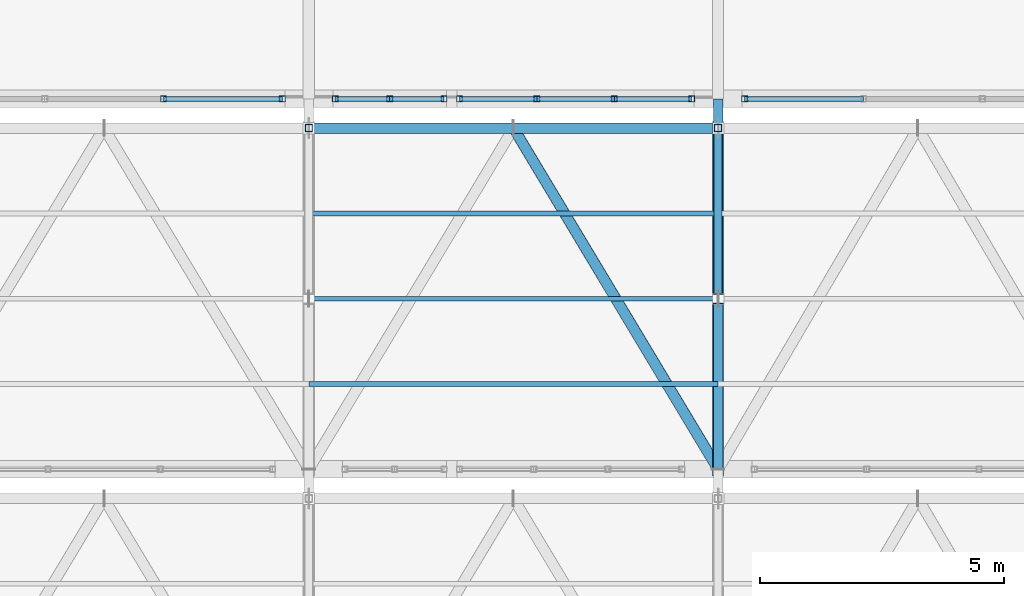
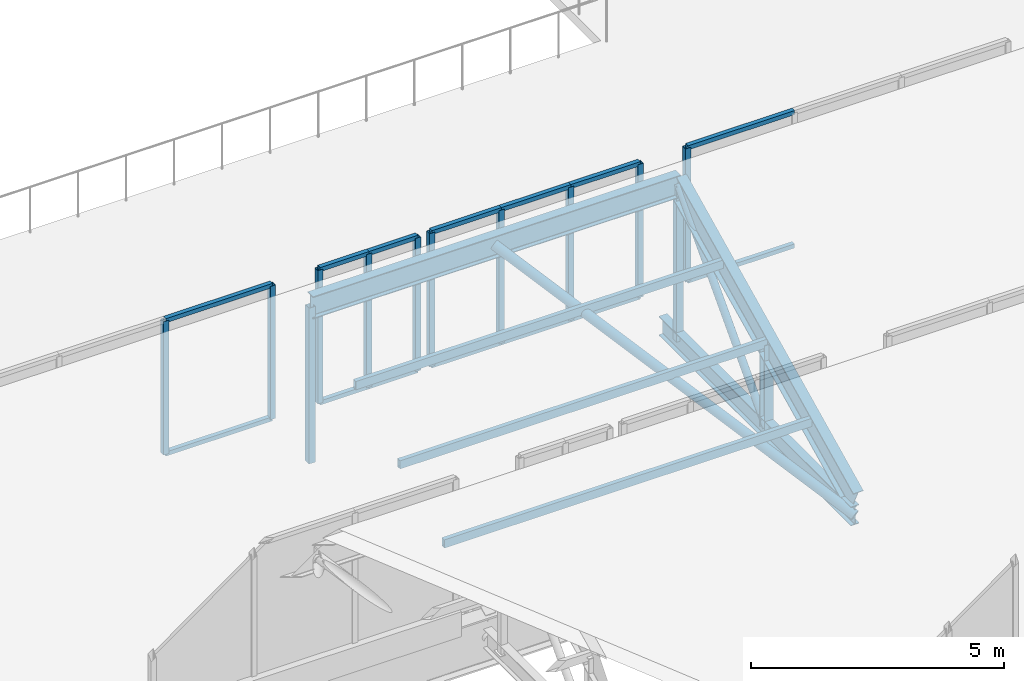
# One storey, part 36 of 57: 35 members, 4 elements without a shape of their own.
"""IFC4 building model written with IfcOpenShell, lengths in metres."""

import ifcopenshell
import ifcopenshell.guid

model = None  # the IFC model being written
_history = None  # IfcOwnerHistory: only IFC2X3 demands one
_inside = {}  # id of a spatial element -> (the spatial element, [elements in it])
_under = {}  # id of a project, library or spatial element -> (it, [spatial elements below it])
_declared = {}  # id of a project -> (the project, [libraries it declares])
_typed = {}  # id of a type object -> (the type object, [elements of that type])
_made_of = {}  # id of a material, layer set ... -> (it, [elements and type objects made of it])


def new_model(schema):
    """Start an empty IFC model of exactly this schema.

    Asked for "IFC4X3", IfcOpenShell would pick the latest addendum, in which some entities
    have other attributes; the version numbers below select the first issue.
    IFC2X3 requires an IfcOwnerHistory on every rooted entity: one is made here for all.
    """
    global model, _history
    if schema == "IFC4X3":
        model = ifcopenshell.file(schema_version=(4, 3, 0, 0))
    else:
        model = ifcopenshell.file(schema=schema)
    _inside.clear()
    _under.clear()
    _declared.clear()
    _typed.clear()
    _made_of.clear()
    _history = None
    if model.schema == "IFC2X3":
        org = make("IfcOrganization", Name="unknown")
        user = make(
            "IfcPersonAndOrganization",
            ThePerson=make("IfcPerson", FamilyName="unknown"),
            TheOrganization=org,
        )
        app = make(
            "IfcApplication",
            ApplicationDeveloper=org,
            Version="unknown",
            ApplicationFullName="unknown",
            ApplicationIdentifier="unknown",
        )
        _history = make(
            "IfcOwnerHistory",
            OwningUser=user,
            OwningApplication=app,
            ChangeAction="ADDED",
            CreationDate=0,
        )
    return model


def make(cls, **values):
    """One entity of the class cls with the attributes given. An attribute that is None is left unset."""
    return model.create_entity(
        cls, **{name: value for name, value in values.items() if value is not None}
    )


def rooted(cls, **values):
    """An entity with a GlobalId (a new one), such as an element, a storey or a relation."""
    return make(cls, GlobalId=ifcopenshell.guid.new(), OwnerHistory=_history, **values)


def si_unit(unit_type, name, prefix=None):
    """IfcSIUnit, for example si_unit("LENGTHUNIT", "METRE", prefix="MILLI")."""
    return make("IfcSIUnit", UnitType=unit_type, Prefix=prefix, Name=name)


def assignment(units):
    """IfcUnitAssignment: the units of a project."""
    return None if units is None else make("IfcUnitAssignment", Units=units)


def point(xyz):
    """IfcCartesianPoint."""
    return None if xyz is None else make("IfcCartesianPoint", Coordinates=xyz)


def direction(xyz):
    """IfcDirection."""
    return None if xyz is None else make("IfcDirection", DirectionRatios=xyz)


def frame(location, z_axis=None, x_axis=None):
    """IfcAxis2Placement3D, a coordinate frame: its origin and axes. An axis left out is left unset."""
    return make(
        "IfcAxis2Placement3D",
        Location=point(location),
        Axis=direction(z_axis),
        RefDirection=direction(x_axis),
    )


def frame_2d(location, x_axis=None):
    """IfcAxis2Placement2D, a coordinate frame in the plane: its origin and x axis."""
    return make(
        "IfcAxis2Placement2D", Location=point(location), RefDirection=direction(x_axis)
    )


def origin():
    """The frame at (0, 0, 0) with its axes left unset."""
    return frame((0.0, 0.0, 0.0))


def origin_2d():
    """The frame at (0, 0) in the plane with its x axis left unset."""
    return frame_2d((0.0, 0.0))


def place(relative_to, where):
    """IfcLocalPlacement: puts the frame where relative to a parent placement (None: the world)."""
    return make(
        "IfcLocalPlacement", PlacementRelTo=relative_to, RelativePlacement=where
    )


def context(
    kind, dimensions, precision=None, world=None, true_north=None, identifier=None
):
    """IfcGeometricRepresentationContext, for example the 3D "Model" context."""
    return make(
        "IfcGeometricRepresentationContext",
        ContextIdentifier=identifier,
        ContextType=kind,
        CoordinateSpaceDimension=dimensions,
        Precision=precision,
        WorldCoordinateSystem=world,
        TrueNorth=true_north,
    )


def subcontext(parent, identifier, kind, view, scale=None):
    """IfcGeometricRepresentationSubContext, for example "Body" below "Model"."""
    return make(
        "IfcGeometricRepresentationSubContext",
        ContextIdentifier=identifier,
        ContextType=kind,
        ParentContext=parent,
        TargetScale=scale,
        TargetView=view,
    )


def project(units=None, contexts=None):
    """IfcProject with its units and contexts."""
    return rooted(
        "IfcProject",
        Name="project",
        RepresentationContexts=contexts,
        UnitsInContext=assignment(units),
    )


def spatial(cls, under=None, at=None, **own):
    """A site, building, storey or space (cls), placed at a placement, below another one or the project."""
    s = rooted(cls, ObjectPlacement=at, **own)
    if under is not None:
        _under.setdefault(under.id(), (under, []))[1].append(s)
    return s


def profile(cls, at=None, kind="AREA", **sizes):
    """A parametric profile (cls). Its sizes go by their IFC names, for example OverallWidth=200.0."""
    return make(cls, ProfileType=kind, Position=at, **sizes)


def hollow_rectangle(**sizes):
    """IfcRectangleHollowProfileDef."""
    return profile("IfcRectangleHollowProfileDef", **sizes)


def hollow_circle(**sizes):
    """IfcCircleHollowProfileDef."""
    return profile("IfcCircleHollowProfileDef", **sizes)


def i_section(**sizes):
    """IfcIShapeProfileDef."""
    return profile("IfcIShapeProfileDef", **sizes)


def extrude(swept, where, along, depth):
    """IfcExtrudedAreaSolid: the profile swept, set in the frame where, extruded along a direction by depth."""
    return make(
        "IfcExtrudedAreaSolid",
        SweptArea=swept,
        Position=where,
        ExtrudedDirection=direction(along),
        Depth=depth,
    )


def shape(context_of_items, identifier, shape_type, items):
    """IfcShapeRepresentation: the items that make up one representation, for example the "Body"."""
    return make(
        "IfcShapeRepresentation",
        ContextOfItems=context_of_items,
        RepresentationIdentifier=identifier,
        RepresentationType=shape_type,
        Items=items,
    )


def material(Name=None, Category=None):
    """IfcMaterial."""
    return make("IfcMaterial", Name=Name, Category=Category)


def material_profile(
    of_material, cross_section, Name=None, Category=None, Priority=None
):
    """IfcMaterialProfile: a cross section and its material."""
    return make(
        "IfcMaterialProfile",
        Name=Name,
        Material=of_material,
        Profile=cross_section,
        Priority=Priority,
        Category=Category,
    )


def profile_set(profiles, Name=None, composite=None):
    """IfcMaterialProfileSet."""
    return make(
        "IfcMaterialProfileSet",
        Name=Name,
        MaterialProfiles=profiles,
        CompositeProfile=composite,
    )


def made_of(thing, what):
    """Note that an element or type object is made of a material, layer set ...; save() writes the relation."""
    if what is not None:
        _made_of.setdefault(what.id(), (what, []))[1].append(thing)
    return thing


def type_object(cls, material=None, **own):
    """A type object (cls), such as IfcWallType, which elements share."""
    return made_of(rooted(cls, **own), material)


def element(
    cls,
    number,
    at=None,
    inside=None,
    cuts=None,
    type_object=None,
    material=None,
    context=None,
    identifier="Body",
    shape_type=None,
    held_by="IfcProductDefinitionShape",
    body=None,
    shapes=None,
    **own,
):
    """One element of the class cls, such as IfcWall. Its Tag is "e" and its number.

    at: its placement. inside: the storey or other place that contains it. cuts: it is an
    opening in that element (IfcRelVoidsElement). A single representation is given by context,
    identifier, shape_type and body (its items); several are given by shapes. held_by: the class
    of the entity that holds the representations. save() writes the other relations.
    """
    e = rooted(cls, Tag="e%d" % number, ObjectPlacement=at, **own)
    if body is not None:
        shapes = [shape(context, identifier, shape_type, body)]
    if shapes is not None:
        e.Representation = make(held_by, Representations=shapes)
    if inside is not None:
        _inside.setdefault(inside.id(), (inside, []))[1].append(e)
    if cuts is not None:
        rooted(
            "IfcRelVoidsElement", RelatingBuildingElement=cuts, RelatedOpeningElement=e
        )
    if type_object is not None:
        _typed.setdefault(type_object.id(), (type_object, []))[1].append(e)
    return made_of(e, material)


def aggregate(whole, parts):
    """IfcRelAggregates: a whole, such as a stair, and the parts it consists of."""
    return rooted("IfcRelAggregates", RelatingObject=whole, RelatedObjects=parts)


def save(model, path):
    """Write the relations noted so far, then the file.

    IfcRelAggregates (storeys below a building ...), IfcRelContainedInSpatialStructure (elements
    in a storey), IfcRelDefinesByType, IfcRelAssociatesMaterial and IfcRelDeclares: one each for
    every whole, place, type object, material and project.
    """
    for whole, parts in _under.values():
        aggregate(whole, parts)
    for where, things in _inside.values():
        rooted(
            "IfcRelContainedInSpatialStructure",
            RelatedElements=things,
            RelatingStructure=where,
        )
    for kind, things in _typed.values():
        rooted("IfcRelDefinesByType", RelatedObjects=things, RelatingType=kind)
    for what, things in _made_of.values():
        rooted("IfcRelAssociatesMaterial", RelatedObjects=things, RelatingMaterial=what)
    for by, libraries in _declared.values():
        rooted("IfcRelDeclares", RelatingContext=by, RelatedDefinitions=libraries)
    model.write(path)


model = new_model("IFC4")

# Units and contexts
model_context = context("Model", 3, precision=1e-05, world=origin(), true_north=direction((0.0, 1.0)))
body_context = subcontext(model_context, "Body", "Model", "MODEL_VIEW")
ifc_project = project(units=[si_unit("LENGTHUNIT", "METRE"), si_unit("AREAUNIT", "SQUARE_METRE"), si_unit("VOLUMEUNIT", "CUBIC_METRE"), si_unit("PLANEANGLEUNIT", "RADIAN"), si_unit("MASSUNIT", "GRAM", prefix="KILO")], contexts=[model_context])

# Site, building, storey
site_placement = place(None, origin())
site = spatial("IfcSite", under=ifc_project, at=site_placement, CompositionType="ELEMENT")
building_placement = place(site_placement, origin())
building = spatial("IfcBuilding", under=site, at=building_placement, Name="Zuvorla Pavilion Media Centre", CompositionType="ELEMENT")
storey_placement = place(building_placement, frame((0.0, 0.0, 18.0)))
storey = spatial("IfcBuildingStorey", under=building, at=storey_placement, Name="L04", CompositionType="ELEMENT", Elevation=18.0)

# Curtain wall, members
ifc_material_1 = material(Name="Unitised anodised aluminium and solar glass curtain wall", Category="aluminium")
curtain_wall_type_1 = type_object("IfcCurtainWallType", Name="CW-SYS-97", PredefinedType="USERDEFINED", material=ifc_material_1)
curtain_wall_1_placement = place(storey_placement, origin())
curtain_wall_1 = element("IfcCurtainWall", 1, at=curtain_wall_1_placement, inside=storey, type_object=curtain_wall_type_1, Name="L04 curtain wall CW97 248", ObjectType="CURTAIN WALL", PredefinedType="USERDEFINED")
ifc_material_2 = material(Name="Anodised aluminium 6063-T6", Category="aluminium")
ifc_material_profile_1 = material_profile(ifc_material_2, hollow_rectangle(XDim=0.1201171875, YDim=0.1201171875, WallThickness=0.0048828125, at=origin_2d()), Name="ALU MULL 120x120")
ifc_profile_set_1 = profile_set([ifc_material_profile_1], Name="Anodised aluminium 6063-T6")
member_type_1 = type_object("IfcMemberType", Name="CW-MULL-120", PredefinedType="MULLION", material=ifc_profile_set_1)
member_1_placement = place(storey_placement, frame((139.419189453125, 44.0, 0.0), z_axis=(0.0, 0.0, 1.0), x_axis=(1.0, 0.0, 0.0)))
member_1 = element("IfcMember", 2, at=member_1_placement, type_object=member_type_1, Name="CW97 mullion 3", PredefinedType="MULLION", context=body_context, shape_type="SweptSolid", body=[
    extrude(hollow_rectangle(XDim=0.1201171875, YDim=0.1201171875, WallThickness=0.0048828125, at=origin_2d()), origin(), (0.0, 0.0, 1.0), 3.219970703125),
])
member_2_placement = place(storey_placement, frame((141.857421875, 44.0, 0.0), z_axis=(0.0, 0.0, 1.0), x_axis=(1.0, 0.0, 0.0)))
member_2 = element("IfcMember", 3, at=member_2_placement, type_object=member_type_1, Name="CW97 mullion 4", PredefinedType="MULLION", context=body_context, shape_type="SweptSolid", body=[
    extrude(hollow_rectangle(XDim=0.1201171875, YDim=0.1201171875, WallThickness=0.0048828125, at=origin_2d()), origin(), (0.0, 0.0, 1.0), 3.219970703125),
])

curtain_wall_type_2 = type_object("IfcCurtainWallType", Name="CW-SYS-98", PredefinedType="USERDEFINED", material=ifc_material_1)
curtain_wall_2_placement = place(storey_placement, origin())
curtain_wall_2 = element("IfcCurtainWall", 4, at=curtain_wall_2_placement, inside=storey, type_object=curtain_wall_type_2, Name="L04 curtain wall CW98 249", ObjectType="CURTAIN WALL", PredefinedType="USERDEFINED")
member_3_placement = place(storey_placement, frame((142.942626953125, 44.0, 0.0), z_axis=(0.0, 0.0, 1.0), x_axis=(1.0, 0.0, 0.0)))
member_3 = element("IfcMember", 5, at=member_3_placement, type_object=member_type_1, Name="CW98 mullion 1", PredefinedType="MULLION", context=body_context, shape_type="SweptSolid", body=[
    extrude(hollow_rectangle(XDim=0.1201171875, YDim=0.1201171875, WallThickness=0.0048828125, at=origin_2d()), origin(), (0.0, 0.0, 1.0), 3.219970703125),
])
member_4_placement = place(storey_placement, frame((144.05810546875, 44.0, 0.0), z_axis=(0.0, 0.0, 1.0), x_axis=(1.0, 0.0, 0.0)))
member_4 = element("IfcMember", 6, at=member_4_placement, type_object=member_type_1, Name="CW98 mullion 2", PredefinedType="MULLION", context=body_context, shape_type="SweptSolid", body=[
    extrude(hollow_rectangle(XDim=0.1201171875, YDim=0.1201171875, WallThickness=0.0048828125, at=origin_2d()), origin(), (0.0, 0.0, 1.0), 3.219970703125),
])
member_5_placement = place(storey_placement, frame((145.17333984375, 44.0, 0.0), z_axis=(0.0, 0.0, 1.0), x_axis=(1.0, 0.0, 0.0)))
member_5 = element("IfcMember", 7, at=member_5_placement, type_object=member_type_1, Name="CW98 mullion 3", PredefinedType="MULLION", context=body_context, shape_type="SweptSolid", body=[
    extrude(hollow_rectangle(XDim=0.1201171875, YDim=0.1201171875, WallThickness=0.0048828125, at=origin_2d()), origin(), (0.0, 0.0, 1.0), 3.219970703125),
])

curtain_wall_type_3 = type_object("IfcCurtainWallType", Name="CW-SYS-99", PredefinedType="USERDEFINED", material=ifc_material_1)
curtain_wall_3_placement = place(storey_placement, origin())
curtain_wall_3 = element("IfcCurtainWall", 8, at=curtain_wall_3_placement, inside=storey, type_object=curtain_wall_type_3, Name="L04 curtain wall CW99 250", ObjectType="CURTAIN WALL", PredefinedType="USERDEFINED")
member_6_placement = place(storey_placement, frame((145.493408203125, 44.0, 0.0), z_axis=(0.0, 0.0, 1.0), x_axis=(1.0, 0.0, 0.0)))
member_6 = element("IfcMember", 9, at=member_6_placement, type_object=member_type_1, Name="CW99 mullion 1", PredefinedType="MULLION", context=body_context, shape_type="SweptSolid", body=[
    extrude(hollow_rectangle(XDim=0.1201171875, YDim=0.1201171875, WallThickness=0.0048828125, at=origin_2d()), origin(), (0.0, 0.0, 1.0), 3.219970703125),
])
member_7_placement = place(storey_placement, frame((147.081298828125, 44.0, 0.0), z_axis=(0.0, 0.0, 1.0), x_axis=(1.0, 0.0, 0.0)))
member_7 = element("IfcMember", 10, at=member_7_placement, type_object=member_type_1, Name="CW99 mullion 2", PredefinedType="MULLION", context=body_context, shape_type="SweptSolid", body=[
    extrude(hollow_rectangle(XDim=0.1201171875, YDim=0.1201171875, WallThickness=0.0048828125, at=origin_2d()), origin(), (0.0, 0.0, 1.0), 3.219970703125),
])
member_8_placement = place(storey_placement, frame((148.669189453125, 44.0, 0.0), z_axis=(0.0, 0.0, 1.0), x_axis=(1.0, 0.0, 0.0)))
member_8 = element("IfcMember", 11, at=member_8_placement, type_object=member_type_1, Name="CW99 mullion 3", PredefinedType="MULLION", context=body_context, shape_type="SweptSolid", body=[
    extrude(hollow_rectangle(XDim=0.1201171875, YDim=0.1201171875, WallThickness=0.0048828125, at=origin_2d()), origin(), (0.0, 0.0, 1.0), 3.219970703125),
])
member_9_placement = place(storey_placement, frame((150.25732421875, 44.0, 0.0), z_axis=(0.0, 0.0, 1.0), x_axis=(1.0, 0.0, 0.0)))
member_9 = element("IfcMember", 12, at=member_9_placement, type_object=member_type_1, Name="CW99 mullion 4", PredefinedType="MULLION", context=body_context, shape_type="SweptSolid", body=[
    extrude(hollow_rectangle(XDim=0.1201171875, YDim=0.1201171875, WallThickness=0.0048828125, at=origin_2d()), origin(), (0.0, 0.0, 1.0), 3.219970703125),
])

# Curtain wall, member
curtain_wall_4_placement = place(storey_placement, origin())
curtain_wall_4 = element("IfcCurtainWall", 13, at=curtain_wall_4_placement, inside=storey, type_object=curtain_wall_type_1, Name="L04 curtain wall CW97 251", ObjectType="CURTAIN WALL", PredefinedType="USERDEFINED")
member_10_placement = place(storey_placement, frame((151.3427734375, 44.0, 0.0), z_axis=(0.0, 0.0, 1.0), x_axis=(1.0, 0.0, 0.0)))
member_10 = element("IfcMember", 14, at=member_10_placement, type_object=member_type_1, Name="CW97 mullion 1", PredefinedType="MULLION", context=body_context, shape_type="SweptSolid", body=[
    extrude(hollow_rectangle(XDim=0.1201171875, YDim=0.1201171875, WallThickness=0.0048828125, at=origin_2d()), origin(), (0.0, 0.0, 1.0), 3.219970703125),
])

# Member
ifc_material_profile_2 = material_profile(ifc_material_2, hollow_rectangle(XDim=0.10009765625, YDim=0.10009765625, WallThickness=0.00439453125, at=origin_2d()), Name="ALU TRAN 100x100")
ifc_profile_set_2 = profile_set([ifc_material_profile_2], Name="Anodised aluminium 6063-T6")
member_type_2 = type_object("IfcMemberType", Name="CW-TRAN-100", PredefinedType="USERDEFINED", material=ifc_profile_set_2)
member_11_placement = place(storey_placement, frame((139.419189453125, 44.0, 0.0), z_axis=(1.0, 0.0, 0.0), x_axis=(0.0, 1.0, 0.0)))
member_11 = element("IfcMember", 15, at=member_11_placement, type_object=member_type_2, Name="CW97 transom 3.1", ObjectType="TRANSOM", PredefinedType="USERDEFINED", context=body_context, shape_type="SweptSolid", body=[
    extrude(hollow_rectangle(XDim=0.10009765625, YDim=0.10009765625, WallThickness=0.00439453125, at=origin_2d()), origin(), (0.0, 0.0, 1.0), 2.438232421875),
])

member_12_placement = place(storey_placement, frame((139.419189453125, 44.0, 3.219970703125), z_axis=(1.0, 0.0, 0.0), x_axis=(0.0, 1.0, 0.0)))
member_12 = element("IfcMember", 16, at=member_12_placement, type_object=member_type_2, Name="CW97 transom 3.2", ObjectType="TRANSOM", PredefinedType="USERDEFINED", context=body_context, shape_type="SweptSolid", body=[
    extrude(hollow_rectangle(XDim=0.10009765625, YDim=0.10009765625, WallThickness=0.00439453125, at=origin_2d()), origin(), (0.0, 0.0, 1.0), 2.438232421875),
])

aggregate(curtain_wall_1, [member_1, member_2, member_11, member_12])

member_13_placement = place(storey_placement, frame((142.942626953125, 44.0, 0.0), z_axis=(1.0, 0.0, 0.0), x_axis=(0.0, 1.0, 0.0)))
member_13 = element("IfcMember", 17, at=member_13_placement, type_object=member_type_2, Name="CW98 transom 1.1", ObjectType="TRANSOM", PredefinedType="USERDEFINED", context=body_context, shape_type="SweptSolid", body=[
    extrude(hollow_rectangle(XDim=0.10009765625, YDim=0.10009765625, WallThickness=0.00439453125, at=origin_2d()), origin(), (0.0, 0.0, 1.0), 1.115478515625),
])

member_14_placement = place(storey_placement, frame((142.942626953125, 44.0, 3.219970703125), z_axis=(1.0, 0.0, 0.0), x_axis=(0.0, 1.0, 0.0)))
member_14 = element("IfcMember", 18, at=member_14_placement, type_object=member_type_2, Name="CW98 transom 1.2", ObjectType="TRANSOM", PredefinedType="USERDEFINED", context=body_context, shape_type="SweptSolid", body=[
    extrude(hollow_rectangle(XDim=0.10009765625, YDim=0.10009765625, WallThickness=0.00439453125, at=origin_2d()), origin(), (0.0, 0.0, 1.0), 1.115478515625),
])

member_15_placement = place(storey_placement, frame((144.05810546875, 44.0, 0.0), z_axis=(1.0, 0.0, 0.0), x_axis=(0.0, 1.0, 0.0)))
member_15 = element("IfcMember", 19, at=member_15_placement, type_object=member_type_2, Name="CW98 transom 2.1", ObjectType="TRANSOM", PredefinedType="USERDEFINED", context=body_context, shape_type="SweptSolid", body=[
    extrude(hollow_rectangle(XDim=0.10009765625, YDim=0.10009765625, WallThickness=0.00439453125, at=origin_2d()), origin(), (0.0, 0.0, 1.0), 1.115234375),
])

member_16_placement = place(storey_placement, frame((144.05810546875, 44.0, 3.219970703125), z_axis=(1.0, 0.0, 0.0), x_axis=(0.0, 1.0, 0.0)))
member_16 = element("IfcMember", 20, at=member_16_placement, type_object=member_type_2, Name="CW98 transom 2.2", ObjectType="TRANSOM", PredefinedType="USERDEFINED", context=body_context, shape_type="SweptSolid", body=[
    extrude(hollow_rectangle(XDim=0.10009765625, YDim=0.10009765625, WallThickness=0.00439453125, at=origin_2d()), origin(), (0.0, 0.0, 1.0), 1.115234375),
])

aggregate(curtain_wall_2, [member_3, member_4, member_5, member_13, member_14, member_15, member_16])

member_17_placement = place(storey_placement, frame((145.493408203125, 44.0, 0.0), z_axis=(1.0, 0.0, 0.0), x_axis=(0.0, 1.0, 0.0)))
member_17 = element("IfcMember", 21, at=member_17_placement, type_object=member_type_2, Name="CW99 transom 1.1", ObjectType="TRANSOM", PredefinedType="USERDEFINED", context=body_context, shape_type="SweptSolid", body=[
    extrude(hollow_rectangle(XDim=0.10009765625, YDim=0.10009765625, WallThickness=0.00439453125, at=origin_2d()), origin(), (0.0, 0.0, 1.0), 1.587890625),
])

member_18_placement = place(storey_placement, frame((145.493408203125, 44.0, 3.219970703125), z_axis=(1.0, 0.0, 0.0), x_axis=(0.0, 1.0, 0.0)))
member_18 = element("IfcMember", 22, at=member_18_placement, type_object=member_type_2, Name="CW99 transom 1.2", ObjectType="TRANSOM", PredefinedType="USERDEFINED", context=body_context, shape_type="SweptSolid", body=[
    extrude(hollow_rectangle(XDim=0.10009765625, YDim=0.10009765625, WallThickness=0.00439453125, at=origin_2d()), origin(), (0.0, 0.0, 1.0), 1.587890625),
])

member_19_placement = place(storey_placement, frame((147.081298828125, 44.0, 0.0), z_axis=(1.0, 0.0, 0.0), x_axis=(0.0, 1.0, 0.0)))
member_19 = element("IfcMember", 23, at=member_19_placement, type_object=member_type_2, Name="CW99 transom 2.1", ObjectType="TRANSOM", PredefinedType="USERDEFINED", context=body_context, shape_type="SweptSolid", body=[
    extrude(hollow_rectangle(XDim=0.10009765625, YDim=0.10009765625, WallThickness=0.00439453125, at=origin_2d()), origin(), (0.0, 0.0, 1.0), 1.587890625),
])

member_20_placement = place(storey_placement, frame((147.081298828125, 44.0, 3.219970703125), z_axis=(1.0, 0.0, 0.0), x_axis=(0.0, 1.0, 0.0)))
member_20 = element("IfcMember", 24, at=member_20_placement, type_object=member_type_2, Name="CW99 transom 2.2", ObjectType="TRANSOM", PredefinedType="USERDEFINED", context=body_context, shape_type="SweptSolid", body=[
    extrude(hollow_rectangle(XDim=0.10009765625, YDim=0.10009765625, WallThickness=0.00439453125, at=origin_2d()), origin(), (0.0, 0.0, 1.0), 1.587890625),
])

member_21_placement = place(storey_placement, frame((148.669189453125, 44.0, 0.0), z_axis=(1.0, 0.0, 0.0), x_axis=(0.0, 1.0, 0.0)))
member_21 = element("IfcMember", 25, at=member_21_placement, type_object=member_type_2, Name="CW99 transom 3.1", ObjectType="TRANSOM", PredefinedType="USERDEFINED", context=body_context, shape_type="SweptSolid", body=[
    extrude(hollow_rectangle(XDim=0.10009765625, YDim=0.10009765625, WallThickness=0.00439453125, at=origin_2d()), origin(), (0.0, 0.0, 1.0), 1.588134765625),
])

member_22_placement = place(storey_placement, frame((148.669189453125, 44.0, 3.219970703125), z_axis=(1.0, 0.0, 0.0), x_axis=(0.0, 1.0, 0.0)))
member_22 = element("IfcMember", 26, at=member_22_placement, type_object=member_type_2, Name="CW99 transom 3.2", ObjectType="TRANSOM", PredefinedType="USERDEFINED", context=body_context, shape_type="SweptSolid", body=[
    extrude(hollow_rectangle(XDim=0.10009765625, YDim=0.10009765625, WallThickness=0.00439453125, at=origin_2d()), origin(), (0.0, 0.0, 1.0), 1.588134765625),
])

aggregate(curtain_wall_3, [member_6, member_7, member_8, member_9, member_17, member_18, member_19, member_20, member_21, member_22])

member_23_placement = place(storey_placement, frame((151.3427734375, 44.0, 0.0), z_axis=(1.0, 0.0, 0.0), x_axis=(0.0, 1.0, 0.0)))
member_23 = element("IfcMember", 27, at=member_23_placement, type_object=member_type_2, Name="CW97 transom 1.1", ObjectType="TRANSOM", PredefinedType="USERDEFINED", context=body_context, shape_type="SweptSolid", body=[
    extrude(hollow_rectangle(XDim=0.10009765625, YDim=0.10009765625, WallThickness=0.00439453125, at=origin_2d()), origin(), (0.0, 0.0, 1.0), 2.438232421875),
])

member_24_placement = place(storey_placement, frame((151.3427734375, 44.0, 3.219970703125), z_axis=(1.0, 0.0, 0.0), x_axis=(0.0, 1.0, 0.0)))
member_24 = element("IfcMember", 28, at=member_24_placement, type_object=member_type_2, Name="CW97 transom 1.2", ObjectType="TRANSOM", PredefinedType="USERDEFINED", context=body_context, shape_type="SweptSolid", body=[
    extrude(hollow_rectangle(XDim=0.10009765625, YDim=0.10009765625, WallThickness=0.00439453125, at=origin_2d()), origin(), (0.0, 0.0, 1.0), 2.438232421875),
])

aggregate(curtain_wall_4, [member_10, member_23, member_24])

# Members
ifc_material_3 = material(Name="Steel S355", Category="steel")
ifc_material_profile_3 = material_profile(ifc_material_3, hollow_circle(Radius=0.084228515625, WallThickness=0.008056640625, at=origin_2d()), Name="CHS 168.3x8")
ifc_profile_set_3 = profile_set([ifc_material_profile_3], Name="Steel S355")
member_type_3 = type_object("IfcMemberType", Name="MEM-BRC-CHS168", PredefinedType="BRACE", material=ifc_profile_set_3)
member_25_placement = place(storey_placement, frame((150.800048828125, 39.89990234375, -0.8798828125), z_axis=(0.0, 0.681156069412, 0.732138244529), x_axis=(-1.0, 0.0, 0.0)))
element("IfcMember", 29, at=member_25_placement, inside=storey, type_object=member_type_3, Name="L04 diagonal brace TB03 761", PredefinedType="BRACE", context=body_context, shape_type="SweptSolid", body=[
    extrude(hollow_circle(Radius=0.084228515625, WallThickness=0.008056640625, at=origin_2d()), origin(), (0.0, 0.0, 1.0), 5.138427734375),
])
ifc_material_profile_4 = material_profile(ifc_material_3, hollow_circle(Radius=0.109619140625, WallThickness=0.010009765625, at=origin_2d()), Name="CHS 219.1x10")
ifc_profile_set_4 = profile_set([ifc_material_profile_4], Name="Steel S355")
member_type_4 = type_object("IfcMemberType", Name="MEM-BRC-CHS219", PredefinedType="BRACE", material=ifc_profile_set_4)
member_26_placement = place(storey_placement, frame((146.60009765625, 43.39990234375, 2.882080078125), z_axis=(0.46726169892, -0.778778552081, -0.418533716135), x_axis=(0.857495564561, 0.514491357322, 0.0)))
element("IfcMember", 30, at=member_26_placement, inside=storey, type_object=member_type_4, Name="L04 diagonal brace TB02 788", PredefinedType="BRACE", context=body_context, shape_type="SweptSolid", body=[
    extrude(hollow_circle(Radius=0.109619140625, WallThickness=0.010009765625, at=origin_2d()), origin(), (0.0, 0.0, 1.0), 8.988525390625),
])
ifc_material_profile_5 = material_profile(ifc_material_3, i_section(OverallWidth=0.19140625, OverallDepth=0.4599609375, WebThickness=0.010009765625, FlangeThickness=0.01611328125, FilletRadius=0.01025390625, at=origin_2d()), Name="UB 457x191x82")
ifc_profile_set_5 = profile_set([ifc_material_profile_5], Name="Steel S355")
member_type_5 = type_object("IfcMemberType", Name="MEM-CHD-UB457", PredefinedType="CHORD", material=ifc_profile_set_5)
member_27_placement = place(storey_placement, frame((150.800048828125, 36.39990234375, -0.8798828125), z_axis=(0.0, 1.0, 0.0), x_axis=(-1.0, 0.0, 0.0)))
element("IfcMember", 31, at=member_27_placement, inside=storey, type_object=member_type_5, Name="L04 chord TC03 758", PredefinedType="CHORD", context=body_context, shape_type="SweptSolid", body=[
    extrude(i_section(OverallWidth=0.19140625, OverallDepth=0.4599609375, WebThickness=0.010009765625, FlangeThickness=0.01611328125, FilletRadius=0.01025390625, at=origin_2d()), origin(), (0.0, 0.0, 1.0), 7.60009765625),
])
ifc_material_profile_6 = material_profile(ifc_material_3, i_section(OverallWidth=0.2099609375, OverallDepth=0.53662109375, WebThickness=0.0107421875, FlangeThickness=0.017333984375, FilletRadius=0.0126953125, at=origin_2d()), Name="UB 533x210x101")
ifc_profile_set_6 = profile_set([ifc_material_profile_6], Name="Steel S355")
member_type_6 = type_object("IfcMemberType", Name="MEM-CHD-UB533", PredefinedType="CHORD", material=ifc_profile_set_6)
member_28_placement = place(storey_placement, frame((142.39990234375, 43.39990234375, 2.882080078125), z_axis=(1.0, 0.0, 0.0), x_axis=(0.0, 1.0, 0.0)))
element("IfcMember", 32, at=member_28_placement, inside=storey, type_object=member_type_6, Name="L04 chord TC02 786", PredefinedType="CHORD", context=body_context, shape_type="SweptSolid", body=[
    extrude(i_section(OverallWidth=0.2099609375, OverallDepth=0.53662109375, WebThickness=0.0107421875, FlangeThickness=0.017333984375, FilletRadius=0.0126953125, at=origin_2d()), origin(), (0.0, 0.0, 1.0), 8.400146484375),
])
ifc_material_profile_7 = material_profile(ifc_material_3, i_section(OverallWidth=0.22900390625, OverallDepth=0.6123046875, WebThickness=0.011962890625, FlangeThickness=0.01953125, FilletRadius=0.0126953125, at=origin_2d()), Name="UB 610x229x125")
ifc_profile_set_7 = profile_set([ifc_material_profile_7], Name="Steel S355")
member_type_7 = type_object("IfcMemberType", Name="MEM-CHD-UB610", PredefinedType="CHORD", material=ifc_profile_set_7)
member_29_placement = place(storey_placement, frame((150.800048828125, 36.39990234375, -0.517822265625), z_axis=(0.0, 0.899513090263, 0.436893809117), x_axis=(-1.0, 0.0, 0.0)))
element("IfcMember", 33, at=member_29_placement, inside=storey, type_object=member_type_7, Name="L04 chord TC01 759", PredefinedType="CHORD", context=body_context, shape_type="SweptSolid", body=[
    extrude(i_section(OverallWidth=0.22900390625, OverallDepth=0.6123046875, WebThickness=0.011962890625, FlangeThickness=0.01953125, FilletRadius=0.0126953125, at=origin_2d()), origin(), (0.0, 0.0, 1.0), 7.781982421875),
])
ifc_material_profile_8 = material_profile(ifc_material_3, hollow_rectangle(XDim=0.10009765625, YDim=0.199951171875, WallThickness=0.008056640625, at=origin_2d()), Name="RHS 200x100x8")
ifc_profile_set_8 = profile_set([ifc_material_profile_8], Name="Steel S355")
member_type_8 = type_object("IfcMemberType", Name="MEM-PUR-RHS200", PredefinedType="PURLIN", material=ifc_profile_set_8)
for number, where, z_axis, x_axis, name in (
    (34, (142.39990234375, 38.14990234375, 0.33203125), (1.0, 0.0, 0.0), (0.0, 1.0, 0.0), "L04 purlin PR01 789"),
    (35, (142.39990234375, 39.89990234375, 1.18212890625), (1.0, 0.0, 0.0), (0.0, 1.0, 0.0), "L04 purlin PR01 790"),
    (36, (142.39990234375, 41.64990234375, 2.031982421875), (1.0, 0.0, 0.0), (0.0, 1.0, 0.0), "L04 purlin PR01 791"),
):
    element("IfcMember", number, at=place(storey_placement, frame(where, z_axis=z_axis, x_axis=x_axis)), inside=storey, type_object=member_type_8, Name=name, PredefinedType="PURLIN", context=body_context, shape_type="SweptSolid", body=[
        extrude(hollow_rectangle(XDim=0.10009765625, YDim=0.199951171875, WallThickness=0.008056640625, at=origin_2d()), origin(), (0.0, 0.0, 1.0), 8.400146484375),
    ])
ifc_material_profile_9 = material_profile(ifc_material_3, hollow_rectangle(XDim=0.14990234375, YDim=0.14990234375, WallThickness=0.008056640625, at=origin_2d()), Name="SHS 150x150x8")
ifc_profile_set_9 = profile_set([ifc_material_profile_9], Name="Steel S355")
member_type_9 = type_object("IfcMemberType", Name="MEM-STR-SHS150", PredefinedType="STRUT", material=ifc_profile_set_9)
for number, where, z_axis, x_axis, name in (
    (37, (142.39990234375, 43.39990234375, -0.8798828125), (0.0, 0.0, 1.0), (1.0, 0.0, 0.0), "L04 vertical strut TS01 755"),
    (38, (150.800048828125, 43.39990234375, -0.8798828125), (0.0, 0.0, 1.0), (1.0, 0.0, 0.0), "L04 vertical strut TS01 760"),
):
    element("IfcMember", number, at=place(storey_placement, frame(where, z_axis=z_axis, x_axis=x_axis)), inside=storey, type_object=member_type_9, Name=name, PredefinedType="STRUT", context=body_context, shape_type="SweptSolid", body=[
        extrude(hollow_rectangle(XDim=0.14990234375, YDim=0.14990234375, WallThickness=0.008056640625, at=origin_2d()), origin(), (0.0, 0.0, 1.0), 3.761962890625),
    ])
ifc_material_profile_10 = material_profile(ifc_material_3, i_section(OverallWidth=0.205810546875, OverallDepth=0.209716796875, WebThickness=0.009521484375, FlangeThickness=0.01416015625, FilletRadius=0.01025390625, at=origin_2d()), Name="UC 203x203x60")
ifc_profile_set_10 = profile_set([ifc_material_profile_10], Name="Steel S355")
member_type_10 = type_object("IfcMemberType", Name="MEM-STR-UC203", PredefinedType="STRUT", material=ifc_profile_set_10)
member_30_placement = place(storey_placement, frame((150.800048828125, 39.89990234375, -0.8798828125), z_axis=(0.0, 0.0, 1.0), x_axis=(1.0, 0.0, 0.0)))
element("IfcMember", 39, at=member_30_placement, inside=storey, type_object=member_type_10, Name="L04 vertical strut TS02 762", PredefinedType="STRUT", context=body_context, shape_type="SweptSolid", body=[
    extrude(i_section(OverallWidth=0.205810546875, OverallDepth=0.209716796875, WebThickness=0.009521484375, FlangeThickness=0.01416015625, FilletRadius=0.01025390625, at=origin_2d()), origin(), (0.0, 0.0, 1.0), 2.06201171875),
])

save(model, "model.ifc")
